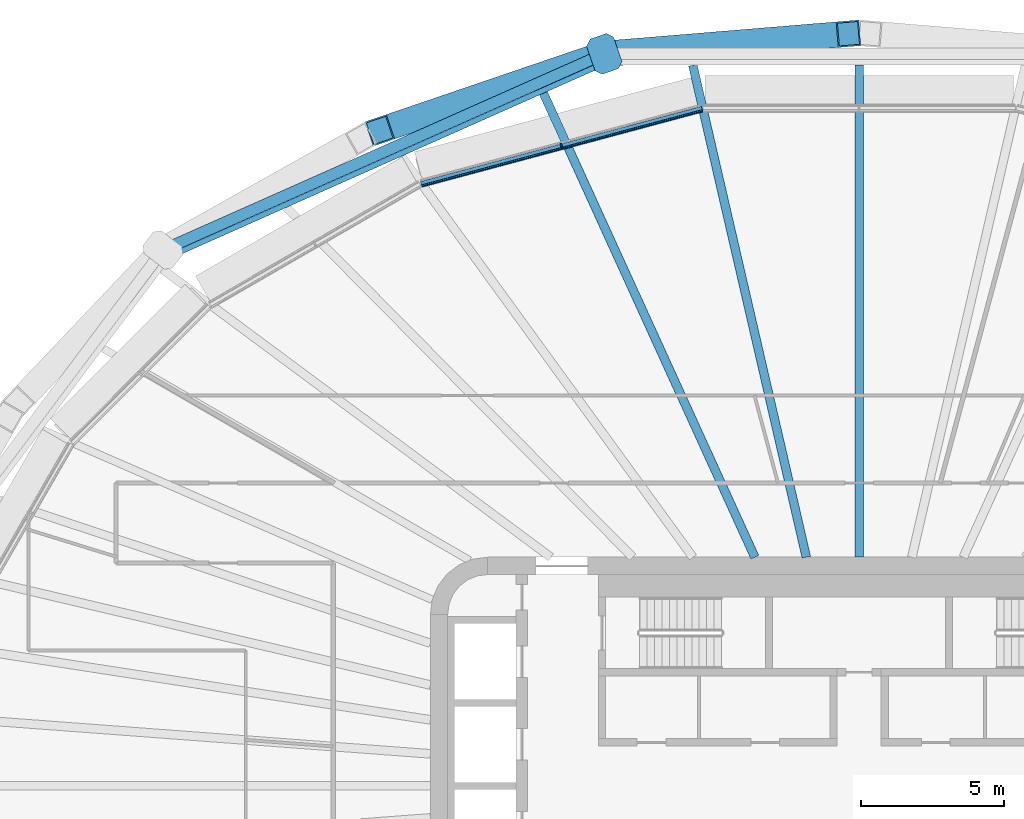
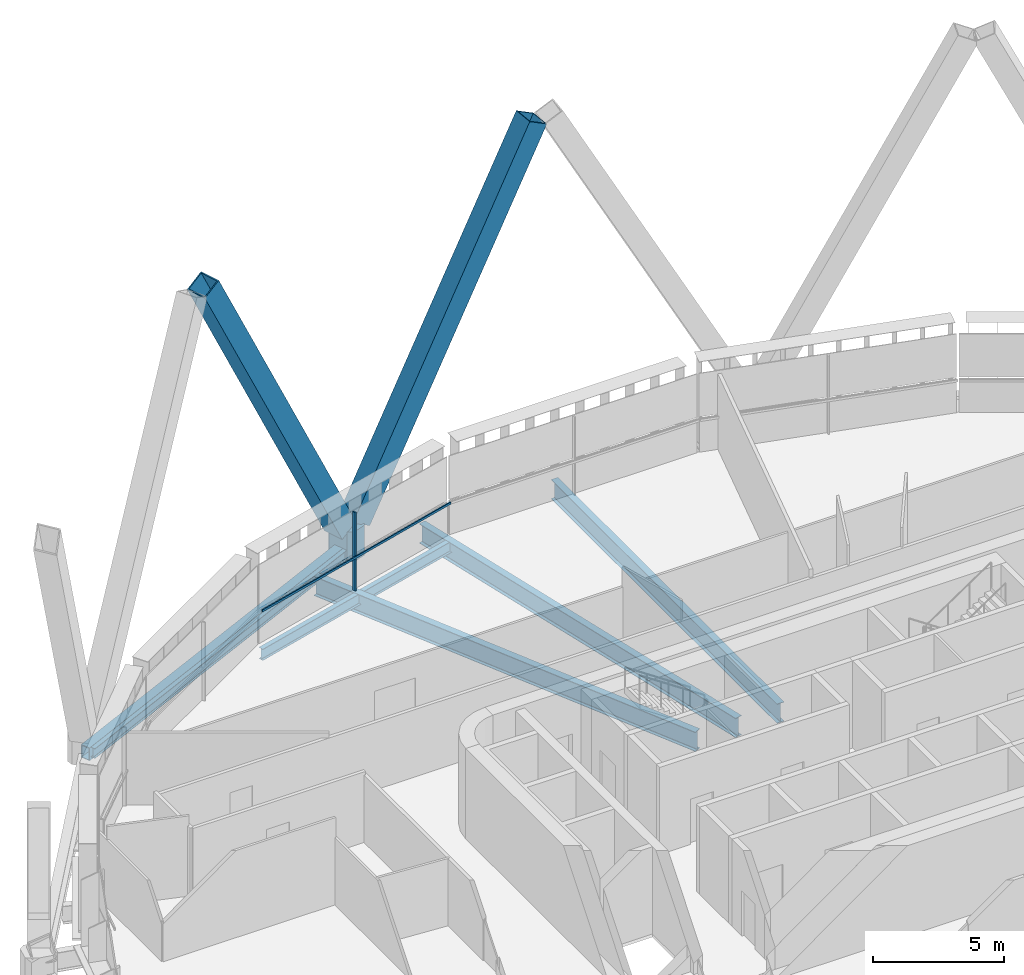
# One storey, part 8 of 26: 6 beams, 5 members, 1 element without a shape of its own.
"""IFC4 building model written with IfcOpenShell, lengths in metres."""

from ifc_helpers import new_model, si_unit, direction, frame, origin, origin_2d, place, context, subcontext, project, spatial, polyline, rectangle, hollow_rectangle, i_section, outline, extrude, material, layer, layer_set, material_profile, profile_set, type_object, element, aggregate, save


model = new_model("IFC4")

# Units and contexts
model_context = context("Model", 3, precision=1e-05, world=origin(), true_north=direction((0.0, 1.0)))
body_context = subcontext(model_context, "Body", "Model", "MODEL_VIEW")
ifc_project = project(units=[si_unit("LENGTHUNIT", "METRE"), si_unit("AREAUNIT", "SQUARE_METRE"), si_unit("VOLUMEUNIT", "CUBIC_METRE"), si_unit("PLANEANGLEUNIT", "RADIAN"), si_unit("MASSUNIT", "GRAM", prefix="KILO")], contexts=[model_context])

# Site, building, storey
site_placement = place(None, origin())
site = spatial("IfcSite", under=ifc_project, at=site_placement, CompositionType="ELEMENT")
building_placement = place(site_placement, origin())
building = spatial("IfcBuilding", under=site, at=building_placement, Name="Sahrelin Media Tower", CompositionType="ELEMENT")
storey_placement = place(building_placement, frame((0.0, 0.0, 131.39990234375)))
storey = spatial("IfcBuildingStorey", under=building, at=storey_placement, Name="L26", CompositionType="ELEMENT", Elevation=131.39990234375)

# Members
ifc_material_1 = material(Name="Steel S460", Category="steel")
ifc_material_profile_1 = material_profile(ifc_material_1, hollow_rectangle(XDim=0.89990234375, YDim=0.89990234375, WallThickness=0.050048828125, at=origin_2d()), Name="Diagrid diagonal DG3")
ifc_profile_set_1 = profile_set([ifc_material_profile_1], Name="Steel S460")
member_type_1 = type_object("IfcMemberType", Name="Diagrid diagonal DG3", PredefinedType="BRACE", material=ifc_profile_set_1)
member_1_placement = place(storey_placement, frame((-8.544189453125, 25.641845703125, 0.7001953125), z_axis=(0.468421655714, 0.03859318675, 0.882661723649), x_axis=(-0.082111624118, 0.996623138997, 0.0)))
element("IfcMember", 1, at=member_1_placement, inside=storey, type_object=member_type_1, Name="Diagrid diagonal D05-06", PredefinedType="BRACE", context=body_context, shape_type="SweptSolid", body=[
    extrude(hollow_rectangle(XDim=0.89990234375, YDim=0.89990234375, WallThickness=0.050048828125, at=origin_2d()), origin(), (0.0, 0.0, 1.0), 17.447021484375),
])
member_2_placement = place(storey_placement, frame((-9.25732421875, 25.49462890625, 0.7001953125), z_axis=(-0.433754821512, -0.147868079685, 0.888814820885), x_axis=(0.322668293279, -0.946512109015, 0.0)))
element("IfcMember", 2, at=member_2_placement, inside=storey, type_object=member_type_1, Name="Diagrid diagonal D05-07", PredefinedType="BRACE", context=body_context, shape_type="SweptSolid", body=[
    extrude(hollow_rectangle(XDim=0.89990234375, YDim=0.89990234375, WallThickness=0.050048828125, at=origin_2d()), origin(), (0.0, 0.0, 1.0), 17.326416015625),
])
ifc_material_profile_2 = material_profile(ifc_material_1, outline(polyline([(0.449951171875, -0.5), (0.64990234375, -0.300048828125), (0.64990234375, 0.300048828125), (0.449951171875, 0.5), (-0.449951171875, 0.5), (-0.64990234375, 0.300048828125), (-0.64990234375, -0.300048828125), (-0.449951171875, -0.5), (0.449951171875, -0.5)])), Name="Diagrid node block 1300")
ifc_profile_set_2 = profile_set([ifc_material_profile_2], Name="Steel S460")
member_type_2 = type_object("IfcMemberType", Name="Diagrid node block 1300", PredefinedType="USERDEFINED", material=ifc_profile_set_2)
member_3_placement = place(storey_placement, frame((-8.915771484375, 25.611083984375, -0.699951171875), z_axis=(0.0, 0.0, 1.0), x_axis=(-0.328769398381, 0.944410230085, 0.0)))
element("IfcMember", 3, at=member_3_placement, inside=storey, type_object=member_type_2, Name="Diagrid node N05-03", ObjectType="NODE", PredefinedType="USERDEFINED", context=body_context, shape_type="SweptSolid", body=[
    extrude(outline(polyline([(0.449951171875, -0.5), (0.64990234375, -0.300048828125), (0.64990234375, 0.300048828125), (0.449951171875, 0.5), (-0.449951171875, 0.5), (-0.64990234375, 0.300048828125), (-0.64990234375, -0.300048828125), (-0.449951171875, -0.5), (0.449951171875, -0.5)])), origin(), (0.0, 0.0, 1.0), 1.400146484375),
])

# Beams
ifc_material_profile_3 = material_profile(ifc_material_1, hollow_rectangle(XDim=0.39990234375, YDim=0.60009765625, WallThickness=0.030029296875, at=origin_2d()), Name="Diagrid ring beam RB1")
ifc_profile_set_3 = profile_set([ifc_material_profile_3], Name="Steel S460")
beam_type_1 = type_object("IfcBeamType", Name="Diagrid ring beam RB1", PredefinedType="BEAM", material=ifc_profile_set_3)
beam_1_placement = place(storey_placement, frame((-8.915771484375, 25.611083984375, -0.449951171875), z_axis=(-0.913835377653, -0.406084846491, 0.0), x_axis=(0.406084846491, -0.913835377653, 0.0)))
element("IfcBeam", 4, at=beam_1_placement, inside=storey, type_object=beam_type_1, Name="Diagrid ring beam RB05-03", PredefinedType="BEAM", context=body_context, shape_type="SweptSolid", body=[
    extrude(hollow_rectangle(XDim=0.39990234375, YDim=0.60009765625, WallThickness=0.030029296875, at=origin_2d()), origin(), (0.0, 0.0, 1.0), 16.898681640625),
])
ifc_material_2 = material(Name="Steel S355", Category="steel")
ifc_material_profile_4 = material_profile(ifc_material_2, i_section(OverallWidth=0.208740234375, OverallDepth=0.5283203125, WebThickness=0.009521484375, FlangeThickness=0.01318359375, FilletRadius=0.0126953125, at=origin_2d()), Name="UB 533x210x82")
ifc_profile_set_4 = profile_set([ifc_material_profile_4], Name="Steel S355")
beam_type_2 = type_object("IfcBeamType", Name="Edge beam EB6", PredefinedType="BEAM", material=ifc_profile_set_4)
beam_2_placement = place(storey_placement, frame((-15.319091796875, 21.040283203125, -0.4140625), z_axis=(0.965933162878, 0.258791663026, 0.0), x_axis=(-0.258791663026, 0.965933162878, 0.0)))
element("IfcBeam", 5, at=beam_2_placement, inside=storey, type_object=beam_type_2, Name="Edge beam L26-18", PredefinedType="BEAM", context=body_context, shape_type="SweptSolid", body=[
    extrude(i_section(OverallWidth=0.208740234375, OverallDepth=0.5283203125, WebThickness=0.009521484375, FlangeThickness=0.01318359375, FilletRadius=0.0126953125, at=origin_2d()), origin(), (0.0, 0.0, 1.0), 10.173583984375),
])

# Curtain wall, member
ifc_material_3 = material(Name="Champagne anodised aluminium 6063-T6", Category="aluminium")
ifc_layer = layer(ifc_material_3, 0.14990234375)
ifc_layer_set = layer_set([ifc_layer], Name="Tower ribbon curtain wall")
curtain_wall_type = type_object("IfcCurtainWallType", Name="Tower ribbon curtain wall", PredefinedType="NOTDEFINED", material=ifc_layer_set)
curtain_wall_placement = place(storey_placement, frame((-10.4443359375, 22.501708984375, 0.0), z_axis=(0.0, 0.0, 1.0), x_axis=(1.0, 0.0, 0.0)))
curtain_wall = element("IfcCurtainWall", 6, at=curtain_wall_placement, inside=storey, type_object=curtain_wall_type, Name="L26:CW:L26-07", PredefinedType="NOTDEFINED")
ifc_material_profile_5 = material_profile(ifc_material_3, rectangle(XDim=0.06005859375, YDim=0.14990234375, at=origin_2d()), Name="Mullion 60x150")
ifc_profile_set_5 = profile_set([ifc_material_profile_5], Name="Champagne anodised aluminium 6063-T6")
member_type_3 = type_object("IfcMemberType", Name="Mullion 60x150 CW1", PredefinedType="MULLION", material=ifc_profile_set_5)
member_4_placement = place(storey_placement, frame((-10.419921875, 22.409912109375, 0.0), z_axis=(0.0, 0.0, 1.0), x_axis=(-0.965926278012, -0.258817359244, 0.0)))
member_4 = element("IfcMember", 7, at=member_4_placement, type_object=member_type_3, Name="L26:CWM:L26-07", PredefinedType="MULLION", context=body_context, shape_type="SweptSolid", body=[
    extrude(rectangle(XDim=0.06005859375, YDim=0.14990234375, at=origin_2d()), origin(), (0.0, 0.0, 1.0), 3.648681640625),
])

# Beams
ifc_material_profile_6 = material_profile(ifc_material_2, i_section(OverallWidth=0.30322265625, OverallDepth=0.903076171875, WebThickness=0.01513671875, FlangeThickness=0.020263671875, FilletRadius=0.01904296875, at=origin_2d()), Name="UB 914x305x201")
ifc_profile_set_6 = profile_set([ifc_material_profile_6], Name="Steel S355")
beam_type_3 = type_object("IfcBeamType", Name="Radial primary beam PB11", PredefinedType="BEAM", material=ifc_profile_set_6)
beam_3_placement = place(storey_placement, frame((-1.845947265625, 8.0, -0.601318359375), z_axis=(-0.22483427695, 0.9743970176, 0.0), x_axis=(-0.9743970176, -0.22483427695, 0.0)))
element("IfcBeam", 8, at=beam_3_placement, inside=storey, type_object=beam_type_3, Name="Radial beam L26-07", PredefinedType="BEAM", context=body_context, shape_type="SweptSolid", body=[
    extrude(i_section(OverallWidth=0.30322265625, OverallDepth=0.903076171875, WebThickness=0.01513671875, FlangeThickness=0.020263671875, FilletRadius=0.01904296875, at=origin_2d()), origin(), (0.0, 0.0, 1.0), 17.668212890625),
])
ifc_material_profile_7 = material_profile(ifc_material_2, i_section(OverallWidth=0.30322265625, OverallDepth=0.903076171875, WebThickness=0.01513671875, FlangeThickness=0.020263671875, FilletRadius=0.01904296875, at=origin_2d()), Name="UB 914x305x201")
ifc_profile_set_7 = profile_set([ifc_material_profile_7], Name="Steel S355")
beam_type_4 = type_object("IfcBeamType", Name="Radial secondary beam SB11", PredefinedType="BEAM", material=ifc_profile_set_7)
beam_4_placement = place(storey_placement, frame((0.0, 8.0, -0.601318359375), z_axis=(0.0, 1.0, 0.0), x_axis=(-1.0, 0.0, 0.0)))
element("IfcBeam", 9, at=beam_4_placement, inside=storey, type_object=beam_type_4, Name="Secondary beam L26-06", PredefinedType="BEAM", context=body_context, shape_type="SweptSolid", body=[
    extrude(i_section(OverallWidth=0.30322265625, OverallDepth=0.903076171875, WebThickness=0.01513671875, FlangeThickness=0.020263671875, FilletRadius=0.01904296875, at=origin_2d()), origin(), (0.0, 0.0, 1.0), 17.2158203125),
])
beam_5_placement = place(storey_placement, frame((-3.64599609375, 8.0, -0.601318359375), z_axis=(-0.414718365894, 0.909949821138, 0.0), x_axis=(-0.909949821138, -0.414718365894, 0.0)))
element("IfcBeam", 10, at=beam_5_placement, inside=storey, type_object=beam_type_4, Name="Secondary beam L26-07", PredefinedType="BEAM", context=body_context, shape_type="SweptSolid", body=[
    extrude(i_section(OverallWidth=0.30322265625, OverallDepth=0.903076171875, WebThickness=0.01513671875, FlangeThickness=0.020263671875, FilletRadius=0.01904296875, at=origin_2d()), origin(), (0.0, 0.0, 1.0), 17.839111328125),
])
ifc_material_profile_8 = material_profile(ifc_material_2, i_section(OverallWidth=0.1904296875, OverallDepth=0.45703125, WebThickness=0.009033203125, FlangeThickness=0.014404296875, FilletRadius=0.01025390625, at=origin_2d()), Name="UB 457x191x74")
ifc_profile_set_8 = profile_set([ifc_material_profile_8], Name="Steel S355")
beam_type_5 = type_object("IfcBeamType", Name="Tie chord TC5", PredefinedType="BEAM", material=ifc_profile_set_8)
beam_6_placement = place(storey_placement, frame((-24.165283203125, 18.506103515625, -0.37841796875), z_axis=(0.913832575306, 0.406091152711, 0.0), x_axis=(-0.406091152711, 0.913832575306, 0.0)))
element("IfcBeam", 11, at=beam_6_placement, inside=storey, type_object=beam_type_5, Name="Tie chord L26-09", PredefinedType="BEAM", context=body_context, shape_type="SweptSolid", body=[
    extrude(i_section(OverallWidth=0.1904296875, OverallDepth=0.45703125, WebThickness=0.009033203125, FlangeThickness=0.014404296875, FilletRadius=0.01025390625, at=origin_2d()), origin(), (0.0, 0.0, 1.0), 16.757080078125),
])

# Member
ifc_material_profile_9 = material_profile(ifc_material_3, rectangle(XDim=0.050048828125, YDim=0.10009765625, at=origin_2d()), Name="Transom 50x100")
ifc_profile_set_9 = profile_set([ifc_material_profile_9], Name="Champagne anodised aluminium 6063-T6")
member_type_4 = type_object("IfcMemberType", Name="Transom 50x100 CW1", PredefinedType="USERDEFINED", material=ifc_profile_set_9)
member_5_placement = place(storey_placement, frame((-5.49560546875, 23.625732421875, 1.60009765625), z_axis=(-0.965924197151, -0.25882512505, 0.0), x_axis=(0.25882512505, -0.965924197151, 0.0)))
member_5 = element("IfcMember", 12, at=member_5_placement, type_object=member_type_4, Name="L26:CWT:L26-07", ObjectType="TRANSOM", PredefinedType="USERDEFINED", context=body_context, shape_type="SweptSolid", body=[
    extrude(rectangle(XDim=0.050048828125, YDim=0.10009765625, at=origin_2d()), origin(), (0.0, 0.0, 1.0), 10.14208984375),
])

aggregate(curtain_wall, [member_4, member_5])

save(model, "model.ifc")
